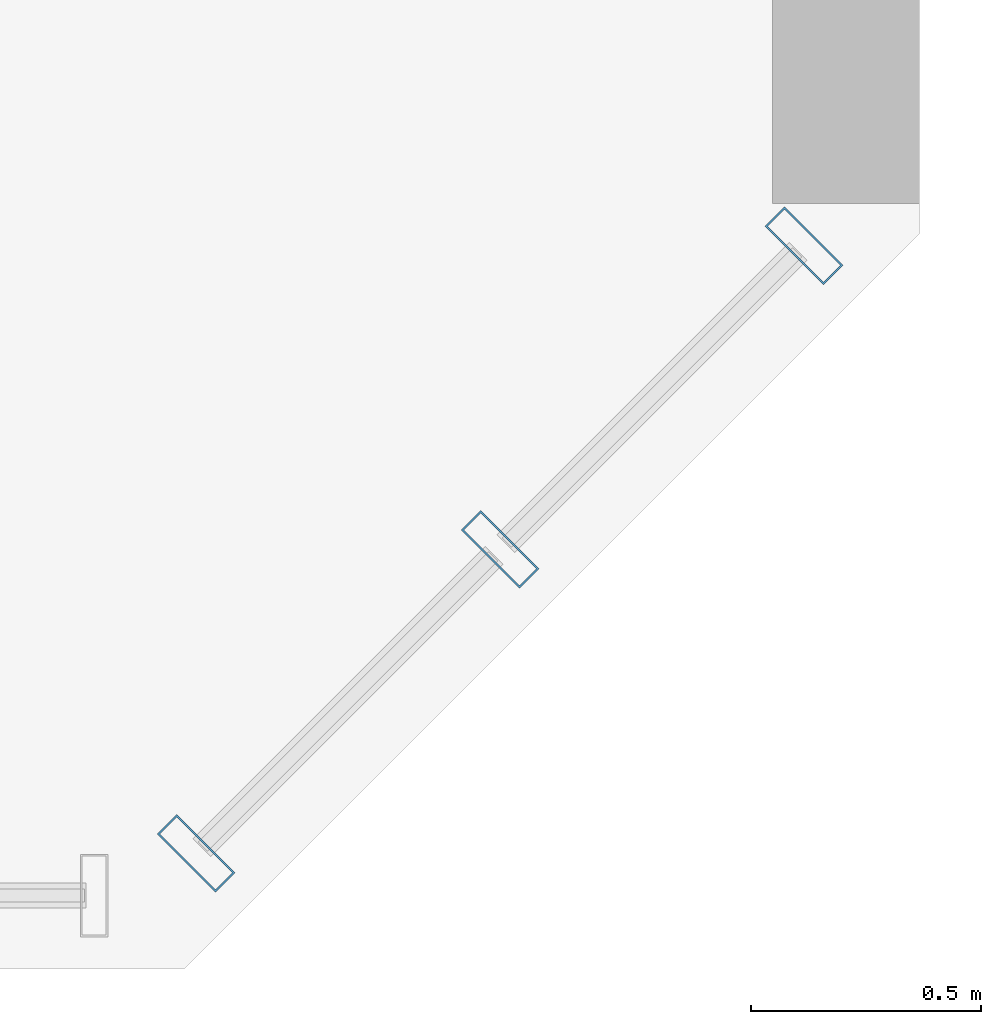
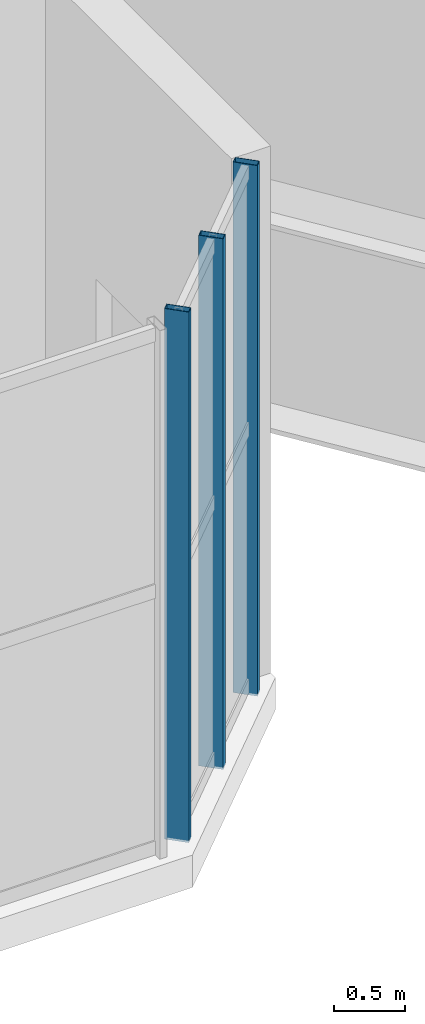
# One storey, part 10 of 26: 3 members, 1 element without a shape of its own.
"""IFC4 building model written with IfcOpenShell, lengths in metres."""

from ifc_helpers import new_model, si_unit, direction, frame, origin, origin_2d, place, context, subcontext, project, spatial, hollow_rectangle, extrude, source, transform, mapped, material, material_profile, profile_set, type_object, element, aggregate, save


model = new_model("IFC4")

# Units and contexts
model_context = context("Model", 3, precision=1e-05, world=origin(), true_north=direction((0.0, 1.0)))
body_context = subcontext(model_context, "Body", "Model", "MODEL_VIEW")
ifc_project = project(units=[si_unit("LENGTHUNIT", "METRE"), si_unit("AREAUNIT", "SQUARE_METRE"), si_unit("VOLUMEUNIT", "CUBIC_METRE"), si_unit("PLANEANGLEUNIT", "RADIAN"), si_unit("MASSUNIT", "GRAM", prefix="KILO")], contexts=[model_context])

# Site, building, storey
site_placement = place(None, origin())
site = spatial("IfcSite", under=ifc_project, at=site_placement, CompositionType="ELEMENT")
building_placement = place(site_placement, origin())
building = spatial("IfcBuilding", under=site, at=building_placement, Name="Tlacorven Tower", CompositionType="ELEMENT")
storey_placement = place(building_placement, frame((0.0, 0.0, 233.699951171875)))
storey = spatial("IfcBuildingStorey", under=building, at=storey_placement, Name="L59", CompositionType="ELEMENT", Elevation=233.699951171875)

# Curtain wall, members
ifc_material_1 = material(Name="Dark solar low-E double glazing in aluminium frame", Category="aluminium")
curtain_wall_type = type_object("IfcCurtainWallType", Name="CW-TWR-HIGH", PredefinedType="USERDEFINED", material=ifc_material_1)
curtain_wall_placement = place(storey_placement, origin())
curtain_wall = element("IfcCurtainWall", 1, at=curtain_wall_placement, inside=storey, type_object=curtain_wall_type, Name="L59 CW-TWR-HIGH Curtain Wall 266", ObjectType="UNITISED CURTAIN WALL", PredefinedType="USERDEFINED")
ifc_material_2 = material(Name="Aluminium 6063-T6 anodised", Category="aluminium")
ifc_material_profile = material_profile(ifc_material_2, hollow_rectangle(XDim=0.06005859375, YDim=0.179931640625, WallThickness=0.00390625, at=origin_2d()), Name="ALU MULLION 60X180")
ifc_profile_set = profile_set([ifc_material_profile], Name="Aluminium 6063-T6 anodised")
member_type = type_object("IfcMemberType", Name="CWM-03", PredefinedType="MULLION", material=ifc_profile_set)
shared_shape = source(origin(), body_context, "Body", "SweptSolid", [
    extrude(hollow_rectangle(XDim=0.06005859375, YDim=0.179931640625, WallThickness=0.00390625, at=origin_2d()), origin(), (0.0, 0.0, 1.0), 4.580078125),
])
member_1_placement = place(storey_placement, frame((52.148193359375, 3.374267578125, -0.02001953125), z_axis=(0.0, 0.0, 1.0), x_axis=(-0.707106781187, -0.707106781187, 0.0)))
member_1 = element("IfcMember", 2, at=member_1_placement, type_object=member_type, Name="CW-L59-266 Mullion 1", PredefinedType="MULLION", context=body_context, shape_type="MappedRepresentation", body=[
    mapped(shared_shape, transform((0.0, 0.0, 0.0), scale=1.0)),
])
member_2_placement = place(storey_placement, frame((51.48681640625, 2.713134765625, -0.02001953125), z_axis=(0.0, 0.0, 1.0), x_axis=(-0.707106781187, -0.707106781187, 0.0)))
member_2 = element("IfcMember", 3, at=member_2_placement, type_object=member_type, Name="CW-L59-266 Mullion 2", PredefinedType="MULLION", context=body_context, shape_type="MappedRepresentation", body=[
    mapped(shared_shape, transform((0.0, 0.0, 0.0), scale=1.0)),
])
member_3_placement = place(storey_placement, frame((50.82568359375, 2.052001953125, -0.02001953125), z_axis=(0.0, 0.0, 1.0), x_axis=(-0.707106781187, -0.707106781187, 0.0)))
member_3 = element("IfcMember", 4, at=member_3_placement, type_object=member_type, Name="CW-L59-266 Mullion 3", PredefinedType="MULLION", context=body_context, shape_type="MappedRepresentation", body=[
    mapped(shared_shape, transform((0.0, 0.0, 0.0), scale=1.0)),
])
aggregate(curtain_wall, [member_1, member_2, member_3])

save(model, "model.ifc")
